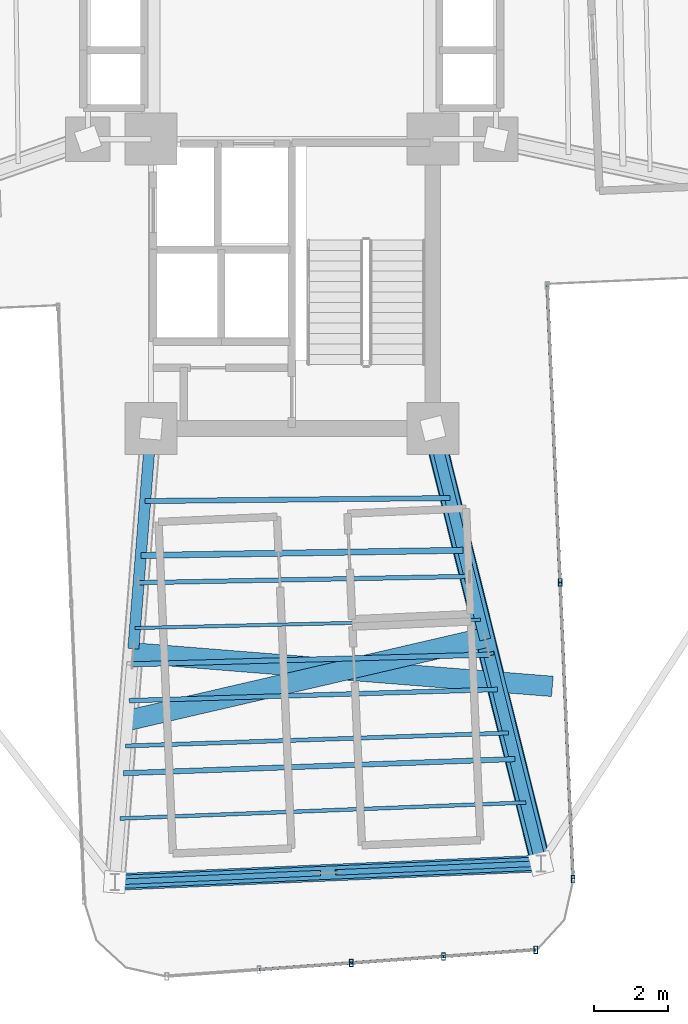
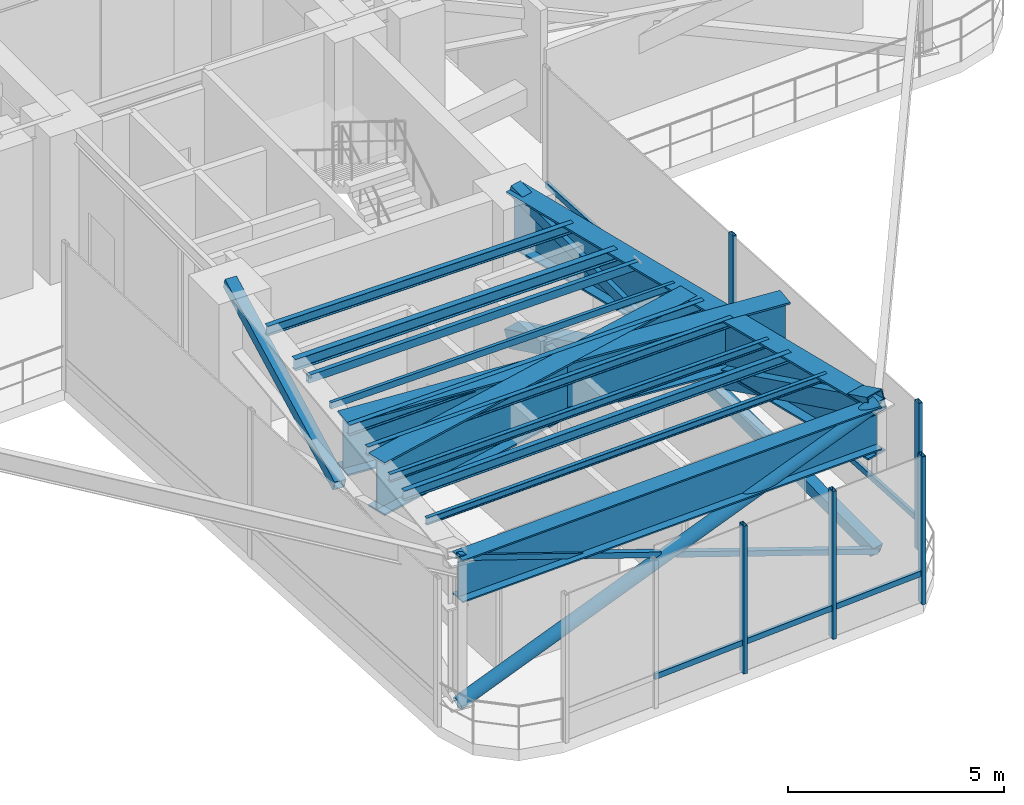
# One storey, part 4 of 18: 17 members, 13 beams, 2 elements without a shape of their own.
"""IFC4 building model written with IfcOpenShell, lengths in metres."""

from ifc_helpers import new_model, si_unit, direction, frame, origin, origin_2d, place, context, subcontext, project, spatial, hollow_rectangle, hollow_circle, i_section, extrude, source, transform, mapped, material, material_profile, profile_set, type_object, element, aggregate, save


model = new_model("IFC4")

# Units and contexts
model_context = context("Model", 3, precision=1e-05, world=origin(), true_north=direction((0.0, 1.0)))
body_context = subcontext(model_context, "Body", "Model", "MODEL_VIEW")
ifc_project = project(units=[si_unit("LENGTHUNIT", "METRE"), si_unit("AREAUNIT", "SQUARE_METRE"), si_unit("VOLUMEUNIT", "CUBIC_METRE"), si_unit("PLANEANGLEUNIT", "RADIAN"), si_unit("MASSUNIT", "GRAM", prefix="KILO")], contexts=[model_context])

# Site, building, storey
site_placement = place(None, origin())
site = spatial("IfcSite", under=ifc_project, at=site_placement, CompositionType="ELEMENT")
building_placement = place(site_placement, origin())
building = spatial("IfcBuilding", under=site, at=building_placement, Name="Sahyath Konkavel Grand Hotel", CompositionType="ELEMENT")
storey_placement = place(building_placement, frame((0.0, 0.0, 138.25)))
storey = spatial("IfcBuildingStorey", under=building, at=storey_placement, Name="L38", CompositionType="ELEMENT", Elevation=138.25)

# Beams
ifc_material_1 = material(Name="Steel E350", Category="steel")
ifc_material_profile_1 = material_profile(ifc_material_1, i_section(OverallWidth=0.1650390625, OverallDepth=0.324951171875, WebThickness=0.007080078125, FlangeThickness=0.009765625, FilletRadius=0.014892578125, at=origin_2d()), Name="ISLB 325")
ifc_profile_set_1 = profile_set([ifc_material_profile_1], Name="Steel E350")
beam_type_1 = type_object("IfcBeamType", Name="BM-ISLB325", PredefinedType="BEAM", material=ifc_profile_set_1)
shared_shape_1 = source(origin(), body_context, "Body", "SweptSolid", [
    extrude(i_section(OverallWidth=0.1650390625, OverallDepth=0.324951171875, WebThickness=0.007080078125, FlangeThickness=0.009765625, FilletRadius=0.014892578125, at=origin_2d()), origin(), (0.0, 0.0, 1.0), 8.68994140625),
])
beam_1_placement = place(storey_placement, frame((-4.0732421875, -13.624267578125, 4.017578125), z_axis=(0.999869506431, 0.016154569283, 0.0), x_axis=(-0.016154569283, 0.999869506431, 0.0)))
element("IfcBeam", 1, at=beam_1_placement, inside=storey, type_object=beam_type_1, Name="L38 Secondary Floor Beam S-1", PredefinedType="BEAM", context=body_context, shape_type="MappedRepresentation", body=[
    mapped(shared_shape_1, transform((0.0, 0.0, 0.0), scale=1.0)),
])
ifc_material_profile_2 = material_profile(ifc_material_1, i_section(OverallWidth=0.139892578125, OverallDepth=0.300048828125, WebThickness=0.0078125, FlangeThickness=0.01318359375, FilletRadius=0.013916015625, at=origin_2d()), Name="ISMB 300")
ifc_profile_set_2 = profile_set([ifc_material_profile_2], Name="Steel E350")
beam_type_2 = type_object("IfcBeamType", Name="BM-ISMB300", PredefinedType="BEAM", material=ifc_profile_set_2)
shared_shape_2 = source(origin(), body_context, "Body", "SweptSolid", [
    extrude(i_section(OverallWidth=0.139892578125, OverallDepth=0.300048828125, WebThickness=0.0078125, FlangeThickness=0.01318359375, FilletRadius=0.013916015625, at=origin_2d()), origin(), (0.0, 0.0, 1.0), 9.625732421875),
])
beam_2_placement = place(storey_placement, frame((-4.3076171875, -16.559326171875, 4.030029296875), z_axis=(0.999633060528, 0.027087714933, 0.0), x_axis=(-0.027087714933, 0.999633060528, 0.0)))
element("IfcBeam", 2, at=beam_2_placement, inside=storey, type_object=beam_type_2, Name="L38 Secondary Floor Beam S-2", PredefinedType="BEAM", context=body_context, shape_type="MappedRepresentation", body=[
    mapped(shared_shape_2, transform((0.0, 0.0, 0.0), scale=1.0)),
])
ifc_material_profile_3 = material_profile(ifc_material_1, i_section(OverallWidth=0.139892578125, OverallDepth=0.27490234375, WebThickness=0.00634765625, FlangeThickness=0.0087890625, FilletRadius=0.012939453125, at=origin_2d()), Name="ISLB 275")
ifc_profile_set_3 = profile_set([ifc_material_profile_3], Name="Steel E350")
beam_type_3 = type_object("IfcBeamType", Name="BM-ISLB275", PredefinedType="BEAM", material=ifc_profile_set_3)
shared_shape_3 = source(origin(), body_context, "Body", "SweptSolid", [
    extrude(i_section(OverallWidth=0.139892578125, OverallDepth=0.27490234375, WebThickness=0.00634765625, FlangeThickness=0.0087890625, FilletRadius=0.012939453125, at=origin_2d()), origin(), (0.0, 0.0, 1.0), 10.562744140625),
])
beam_3_placement = place(storey_placement, frame((-4.5419921875, -19.49462890625, 4.04248046875), z_axis=(0.999348077295, 0.036102914095, 0.0), x_axis=(-0.036102914095, 0.999348077295, 0.0)))
element("IfcBeam", 3, at=beam_3_placement, inside=storey, type_object=beam_type_3, Name="L38 Secondary Floor Beam S-3", PredefinedType="BEAM", context=body_context, shape_type="MappedRepresentation", body=[
    mapped(shared_shape_3, transform((0.0, 0.0, 0.0), scale=1.0)),
])
ifc_material_2 = material(Name="Steel E450", Category="steel")
ifc_material_profile_4 = material_profile(ifc_material_2, i_section(OverallWidth=0.550048828125, OverallDepth=1.5, WebThickness=0.028076171875, FlangeThickness=0.050048828125, at=origin_2d()), Name="BPG 1500x550")
ifc_profile_set_4 = profile_set([ifc_material_profile_4], Name="Steel E450")
beam_type_4 = type_object("IfcBeamType", Name="BM-BPG1500", PredefinedType="BEAM", material=ifc_profile_set_4)
shared_shape_4 = source(origin(), body_context, "Body", "SweptSolid", [
    extrude(i_section(OverallWidth=0.550048828125, OverallDepth=1.5, WebThickness=0.028076171875, FlangeThickness=0.050048828125, at=origin_2d()), origin(), (0.0, 0.0, 1.0), 12.084228515625),
])
beam_4_placement = place(storey_placement, frame((3.800048828125, -10.199951171875, 3.429931640625), z_axis=(0.241042688481, -0.970514514229, 0.0), x_axis=(0.970514514229, 0.241042688481, 0.0)))
element("IfcBeam", 4, at=beam_4_placement, inside=storey, type_object=beam_type_4, Name="L38 Setback Transfer Girder SB", PredefinedType="BEAM", context=body_context, shape_type="MappedRepresentation", body=[
    mapped(shared_shape_4, transform((0.0, 0.0, 0.0), scale=1.0)),
])
shared_shape_5 = source(origin(), body_context, "Body", "SweptSolid", [
    extrude(i_section(OverallWidth=0.550048828125, OverallDepth=1.5, WebThickness=0.028076171875, FlangeThickness=0.050048828125, at=origin_2d()), origin(), (0.0, 0.0, 1.0), 9.884765625),
])
beam_5_placement = place(storey_placement, frame((-4.428466796875, -18.07275390625, 3.429931640625), z_axis=(0.974209385626, 0.225645901711, 0.0), x_axis=(-0.225645901711, 0.974209385626, 0.0)))
element("IfcBeam", 5, at=beam_5_placement, inside=storey, type_object=beam_type_4, Name="L38 Setback Cross Transfer Girder S-1", PredefinedType="BEAM", context=body_context, shape_type="MappedRepresentation", body=[
    mapped(shared_shape_5, transform((0.0, 0.0, 0.0), scale=1.0)),
])
shared_shape_6 = source(origin(), body_context, "Body", "SweptSolid", [
    extrude(i_section(OverallWidth=0.550048828125, OverallDepth=1.5, WebThickness=0.028076171875, FlangeThickness=0.050048828125, at=origin_2d()), origin(), (0.0, 0.0, 1.0), 11.340576171875),
])
beam_6_placement = place(storey_placement, frame((-4.282958984375, -16.2509765625, 3.429931640625), z_axis=(0.996829500519, -0.079567247623, 0.0), x_axis=(0.079567247623, 0.996829500519, 0.0)))
element("IfcBeam", 6, at=beam_6_placement, inside=storey, type_object=beam_type_4, Name="L38 Setback Cross Transfer Girder S-2", PredefinedType="BEAM", context=body_context, shape_type="MappedRepresentation", body=[
    mapped(shared_shape_6, transform((0.0, 0.0, 0.0), scale=1.0)),
])
ifc_material_profile_5 = material_profile(ifc_material_2, i_section(OverallWidth=0.449951171875, OverallDepth=1.199951171875, WebThickness=0.02197265625, FlangeThickness=0.0400390625, at=origin_2d()), Name="BPG 1200x450")
ifc_profile_set_5 = profile_set([ifc_material_profile_5], Name="Steel E450")
beam_type_5 = type_object("IfcBeamType", Name="BM-BPG1200", PredefinedType="BEAM", material=ifc_profile_set_5)
shared_shape_7 = source(origin(), body_context, "Body", "SweptSolid", [
    extrude(i_section(OverallWidth=0.449951171875, OverallDepth=1.199951171875, WebThickness=0.02197265625, FlangeThickness=0.0400390625, at=origin_2d()), origin(), (0.0, 0.0, 1.0), 11.5),
])
beam_7_placement = place(storey_placement, frame((-4.776123046875, -22.4296875, 3.580078125), z_axis=(0.99904788879, 0.043627008892, 0.0), x_axis=(-0.043627008892, 0.99904788879, 0.0)))
element("IfcBeam", 7, at=beam_7_placement, inside=storey, type_object=beam_type_5, Name="L38 Wing Tip Edge Beam S", PredefinedType="BEAM", context=body_context, shape_type="MappedRepresentation", body=[
    mapped(shared_shape_7, transform((0.0, 0.0, 0.0), scale=1.0)),
])

# Members
ifc_material_profile_6 = material_profile(ifc_material_2, hollow_rectangle(XDim=0.300048828125, YDim=0.300048828125, WallThickness=0.01611328125, at=origin_2d()), Name="SHS 300x300x16")
ifc_profile_set_6 = profile_set([ifc_material_profile_6], Name="Steel E450")
member_type_1 = type_object("IfcMemberType", Name="BR-SHS300", PredefinedType="BRACE", material=ifc_profile_set_6)
shared_shape_8 = source(origin(), body_context, "Body", "SweptSolid", [
    extrude(hollow_rectangle(XDim=0.300048828125, YDim=0.300048828125, WallThickness=0.01611328125, at=origin_2d()), origin(), (0.0, 0.0, 1.0), 6.237548828125),
])
member_1_placement = place(storey_placement, frame((-4.27001953125, -16.08837890625, 2.1669921875), z_axis=(0.075346222641, 0.944039243568, 0.321111901581), x_axis=(-0.99683011102, 0.079559598811, 0.0)))
element("IfcMember", 8, at=member_1_placement, inside=storey, type_object=member_type_1, Name="L38 Core Outrigger Truss SA Split Upper Diagonal 2B", PredefinedType="BRACE", context=body_context, shape_type="MappedRepresentation", body=[
    mapped(shared_shape_8, transform((0.0, 0.0, 0.0), scale=1.0)),
])
ifc_material_profile_7 = material_profile(ifc_material_2, hollow_rectangle(XDim=0.5, YDim=0.5, WallThickness=0.02490234375, at=origin_2d()), Name="BOX 500x500x25")
ifc_profile_set_7 = profile_set([ifc_material_profile_7], Name="Steel E450")
member_type_2 = type_object("IfcMemberType", Name="BR-BOX500", PredefinedType="BRACE", material=ifc_profile_set_7)
shared_shape_9 = source(origin(), body_context, "Body", "SweptSolid", [
    extrude(hollow_rectangle(XDim=0.5, YDim=0.5, WallThickness=0.02490234375, at=origin_2d()), origin(), (0.0, 0.0, 1.0), 12.7802734375),
])
member_2_placement = place(storey_placement, frame((3.800048828125, -10.199951171875, 0.010009765625), z_axis=(0.227916491991, -0.917664273092, 0.325494016179), x_axis=(0.970514514229, 0.241042688481, 0.0)))
element("IfcMember", 9, at=member_2_placement, inside=storey, type_object=member_type_2, Name="L38 Core Outrigger Truss SB Continuous Diagonal 1", PredefinedType="BRACE", context=body_context, shape_type="MappedRepresentation", body=[
    mapped(shared_shape_9, transform((0.0, 0.0, 0.0), scale=1.0)),
])
shared_shape_10 = source(origin(), body_context, "Body", "SweptSolid", [
    extrude(hollow_rectangle(XDim=0.300048828125, YDim=0.300048828125, WallThickness=0.01611328125, at=origin_2d()), origin(), (0.0, 0.0, 1.0), 6.150146484375),
])
for number, where, z_axis, x_axis, name in (
    (10, (6.712890625, -21.927978515625, 0.010009765625), (-0.227897364366, 0.917663015513, 0.325510954155), (-0.970519169134, -0.241023945581, 0.0), "L38 Core Outrigger Truss SB Split Lower Diagonal 2A"),
    (11, (5.20166015625, -15.84375, 2.168212890625), (-0.22790030905, 0.917674872723, 0.325475463142), (-0.970519169134, -0.241023945581, 0.0), "L38 Core Outrigger Truss SB Split Upper Diagonal 2B"),
):
    element("IfcMember", number, at=place(storey_placement, frame(where, z_axis=z_axis, x_axis=x_axis)), inside=storey, type_object=member_type_1, Name=name, PredefinedType="BRACE", context=body_context, shape_type="MappedRepresentation", body=[
        mapped(shared_shape_10, transform((0.0, 0.0, 0.0), scale=1.0)),
    ])
ifc_material_profile_8 = material_profile(ifc_material_2, hollow_circle(Radius=0.177734375, WallThickness=0.01611328125, at=origin_2d()), Name="CHS 355.6x16")
ifc_profile_set_8 = profile_set([ifc_material_profile_8], Name="Steel E450")
member_type_3 = type_object("IfcMemberType", Name="BR-CHS356", PredefinedType="BRACE", material=ifc_profile_set_8)
shared_shape_11 = source(origin(), body_context, "Body", "SweptSolid", [
    extrude(hollow_circle(Radius=0.177734375, WallThickness=0.01611328125, at=origin_2d()), origin(), (0.0, 0.0, 1.0), 12.229248046875),
])
member_3_placement = place(storey_placement, frame((-4.776123046875, -22.4296875, 0.010009765625), z_axis=(0.939471709552, 0.041025401371, 0.34016146665), x_axis=(-0.043627008892, 0.99904788879, 0.0)))
element("IfcMember", 12, at=member_3_placement, inside=storey, type_object=member_type_3, Name="L38 Perimeter Belt Truss TIP-S Continuous Diagonal 1", PredefinedType="BRACE", context=body_context, shape_type="MappedRepresentation", body=[
    mapped(shared_shape_11, transform((0.0, 0.0, 0.0), scale=1.0)),
])
ifc_material_profile_9 = material_profile(ifc_material_1, hollow_rectangle(XDim=0.14990234375, YDim=0.14990234375, WallThickness=0.008056640625, at=origin_2d()), Name="SHS 150x150x8")
ifc_profile_set_9 = profile_set([ifc_material_profile_9], Name="Steel E350")
member_type_4 = type_object("IfcMemberType", Name="BR-SHS150", PredefinedType="STRUT", material=ifc_profile_set_9)
shared_shape_12 = source(origin(), body_context, "Body", "SweptSolid", [
    extrude(hollow_rectangle(XDim=0.14990234375, YDim=0.14990234375, WallThickness=0.008056640625, at=origin_2d()), origin(), (0.0, 0.0, 1.0), 5.87451171875),
])
for number, where, z_axis, x_axis, name in (
    (13, (6.712890625, -21.927978515625, 0.010009765625), (-0.939471996837, -0.041059821856, 0.340156520132), (0.043663529055, -0.999046293337, 0.0), "L38 Perimeter Belt Truss TIP-S Split Lower Diagonal 2A"),
    (14, (0.742919921875, -22.188720703125, 2.171630859375), (-0.939473599131, -0.04101833329, 0.340157100278), (0.043619419328, -0.999048220186, 0.0), "L38 Perimeter Belt Truss TIP-S Split Upper Diagonal 2B"),
):
    element("IfcMember", number, at=place(storey_placement, frame(where, z_axis=z_axis, x_axis=x_axis)), inside=storey, type_object=member_type_4, Name=name, PredefinedType="STRUT", context=body_context, shape_type="MappedRepresentation", body=[
        mapped(shared_shape_12, transform((0.0, 0.0, 0.0), scale=1.0)),
    ])

# Beams
shared_shape_13 = source(origin(), body_context, "Body", "SweptSolid", [
    extrude(i_section(OverallWidth=0.139892578125, OverallDepth=0.27490234375, WebThickness=0.00634765625, FlangeThickness=0.0087890625, FilletRadius=0.012939453125, at=origin_2d()), origin(), (0.0, 0.0, 1.0), 8.222900390625),
])
beam_8_placement = place(storey_placement, frame((-3.956298828125, -12.15673828125, 4.04248046875), z_axis=(0.999952289679, 0.009768232528, 0.0), x_axis=(-0.009768232528, 0.999952289679, 0.0)))
element("IfcBeam", 15, at=beam_8_placement, inside=storey, type_object=beam_type_3, Name="L38 Composite Deck Sub-Beam S-1", PredefinedType="BEAM", context=body_context, shape_type="MappedRepresentation", body=[
    mapped(shared_shape_13, transform((0.0, 0.0, 0.0), scale=1.0)),
])
ifc_material_profile_10 = material_profile(ifc_material_1, hollow_rectangle(XDim=0.1201171875, YDim=0.219970703125, WallThickness=0.010009765625, at=origin_2d()), Name="RHS 220x120x10")
ifc_profile_set_10 = profile_set([ifc_material_profile_10], Name="Steel E350")
beam_type_6 = type_object("IfcBeamType", Name="BM-RHS220", PredefinedType="BEAM", material=ifc_profile_set_10)
shared_shape_14 = source(origin(), body_context, "Body", "SweptSolid", [
    extrude(hollow_rectangle(XDim=0.1201171875, YDim=0.219970703125, WallThickness=0.010009765625, at=origin_2d()), origin(), (0.0, 0.0, 1.0), 8.923828125),
])
beam_9_placement = place(storey_placement, frame((-4.1318359375, -14.358154296875, 4.070068359375), z_axis=(0.99981712713, 0.019123605743, 0.0), x_axis=(-0.019123605743, 0.99981712713, 0.0)))
element("IfcBeam", 16, at=beam_9_placement, inside=storey, type_object=beam_type_6, Name="L38 Composite Deck Sub-Beam S-2", PredefinedType="BEAM", context=body_context, shape_type="MappedRepresentation", body=[
    mapped(shared_shape_14, transform((0.0, 0.0, 0.0), scale=1.0)),
])
ifc_material_profile_11 = material_profile(ifc_material_1, hollow_rectangle(XDim=0.090087890625, YDim=0.179931640625, WallThickness=0.008056640625, at=origin_2d()), Name="RHS 180x90x8")
ifc_profile_set_11 = profile_set([ifc_material_profile_11], Name="Steel E350")
beam_type_7 = type_object("IfcBeamType", Name="BM-RHS180", PredefinedType="BEAM", material=ifc_profile_set_11)
shared_shape_15 = source(origin(), body_context, "Body", "SweptSolid", [
    extrude(hollow_rectangle(XDim=0.090087890625, YDim=0.179931640625, WallThickness=0.008056640625, at=origin_2d()), origin(), (0.0, 0.0, 1.0), 9.31396484375),
])
beam_10_placement = place(storey_placement, frame((-4.2294921875, -15.5810546875, 4.090087890625), z_axis=(0.999719207624, 0.023696115884, 0.0), x_axis=(-0.023696115884, 0.999719207624, 0.0)))
element("IfcBeam", 17, at=beam_10_placement, inside=storey, type_object=beam_type_7, Name="L38 Composite Deck Sub-Beam S-3", PredefinedType="BEAM", context=body_context, shape_type="MappedRepresentation", body=[
    mapped(shared_shape_15, transform((0.0, 0.0, 0.0), scale=1.0)),
])
ifc_material_profile_12 = material_profile(ifc_material_1, i_section(OverallWidth=0.125, OverallDepth=0.25, WebThickness=0.0068359375, FlangeThickness=0.012451171875, FilletRadius=0.012939453125, at=origin_2d()), Name="ISMB 250")
ifc_profile_set_12 = profile_set([ifc_material_profile_12], Name="Steel E350")
beam_type_8 = type_object("IfcBeamType", Name="BM-ISMB250", PredefinedType="BEAM", material=ifc_profile_set_12)
shared_shape_16 = source(origin(), body_context, "Body", "SweptSolid", [
    extrude(i_section(OverallWidth=0.125, OverallDepth=0.25, WebThickness=0.0068359375, FlangeThickness=0.012451171875, FilletRadius=0.012939453125, at=origin_2d()), origin(), (0.0, 0.0, 1.0), 9.93798828125),
])
beam_11_placement = place(storey_placement, frame((-4.3857421875, -17.537841796875, 4.054931640625), z_axis=(0.999541134068, 0.030290614159, 0.0), x_axis=(-0.030290614159, 0.999541134068, 0.0)))
element("IfcBeam", 18, at=beam_11_placement, inside=storey, type_object=beam_type_8, Name="L38 Composite Deck Sub-Beam S-4", PredefinedType="BEAM", context=body_context, shape_type="MappedRepresentation", body=[
    mapped(shared_shape_16, transform((0.0, 0.0, 0.0), scale=1.0)),
])
ifc_material_profile_13 = material_profile(ifc_material_1, i_section(OverallWidth=0.110107421875, OverallDepth=0.22509765625, WebThickness=0.006591796875, FlangeThickness=0.01171875, FilletRadius=0.011962890625, at=origin_2d()), Name="ISMB 225")
ifc_profile_set_13 = profile_set([ifc_material_profile_13], Name="Steel E350")
beam_type_9 = type_object("IfcBeamType", Name="BM-ISMB225", PredefinedType="BEAM", material=ifc_profile_set_13)
shared_shape_17 = source(origin(), body_context, "Body", "SweptSolid", [
    extrude(i_section(OverallWidth=0.110107421875, OverallDepth=0.22509765625, WebThickness=0.006591796875, FlangeThickness=0.01171875, FilletRadius=0.011962890625, at=origin_2d()), origin(), (0.0, 0.0, 1.0), 10.328369140625),
])
beam_12_placement = place(storey_placement, frame((-4.4833984375, -18.7607421875, 4.0673828125), z_axis=(0.999422142561, 0.033990895225, 0.0), x_axis=(-0.033990895225, 0.999422142561, 0.0)))
element("IfcBeam", 19, at=beam_12_placement, inside=storey, type_object=beam_type_9, Name="L38 Composite Deck Sub-Beam S-5", PredefinedType="BEAM", context=body_context, shape_type="MappedRepresentation", body=[
    mapped(shared_shape_17, transform((0.0, 0.0, 0.0), scale=1.0)),
])
ifc_material_profile_14 = material_profile(ifc_material_1, i_section(OverallWidth=0.10009765625, OverallDepth=0.199951171875, WebThickness=0.005615234375, FlangeThickness=0.0107421875, FilletRadius=0.010986328125, at=origin_2d()), Name="ISMB 200")
ifc_profile_set_14 = profile_set([ifc_material_profile_14], Name="Steel E350")
beam_type_10 = type_object("IfcBeamType", Name="BM-ISMB200", PredefinedType="BEAM", material=ifc_profile_set_14)
shared_shape_18 = source(origin(), body_context, "Body", "SweptSolid", [
    extrude(i_section(OverallWidth=0.10009765625, OverallDepth=0.199951171875, WebThickness=0.005615234375, FlangeThickness=0.0107421875, FilletRadius=0.010986328125, at=origin_2d()), origin(), (0.0, 0.0, 1.0), 10.953125),
])
beam_13_placement = place(storey_placement, frame((-4.639404296875, -20.717529296875, 4.080078125), z_axis=(0.99922407579, 0.039385864996, 0.0), x_axis=(-0.039385864996, 0.99922407579, 0.0)))
element("IfcBeam", 20, at=beam_13_placement, inside=storey, type_object=beam_type_10, Name="L38 Composite Deck Sub-Beam S-6", PredefinedType="BEAM", context=body_context, shape_type="MappedRepresentation", body=[
    mapped(shared_shape_18, transform((0.0, 0.0, 0.0), scale=1.0)),
])

# Curtain wall, members
ifc_material_3 = material(Name="Anodised Bronze Aluminium & Low-E Glazing", Category="aluminium")
curtain_wall_type = type_object("IfcCurtainWallType", Name="CW-SKYLOBBY", PredefinedType="NOTDEFINED", material=ifc_material_3)
curtain_wall_1_placement = place(storey_placement, origin())
curtain_wall_1 = element("IfcCurtainWall", 21, at=curtain_wall_1_placement, inside=storey, type_object=curtain_wall_type, Name="L38 Unitised Curtain Wall RF28", PredefinedType="NOTDEFINED")
ifc_material_4 = material(Name="Anodised Bronze Aluminium", Category="aluminium")
ifc_material_profile_15 = material_profile(ifc_material_4, hollow_rectangle(XDim=0.10009765625, YDim=0.199951171875, WallThickness=0.008056640625, at=origin_2d()), Name="RHS 200x100x8")
ifc_profile_set_15 = profile_set([ifc_material_profile_15], Name="Anodised Bronze Aluminium")
member_type_5 = type_object("IfcMemberType", Name="CW-MUL-200", PredefinedType="MULLION", material=ifc_profile_set_15)
shared_shape_19 = source(origin(), body_context, "Body", "SweptSolid", [
    extrude(hollow_rectangle(XDim=0.10009765625, YDim=0.199951171875, WallThickness=0.008056640625, at=origin_2d()), origin(), (0.0, 0.0, 1.0), 4.179931640625),
])
member_4_placement = place(storey_placement, frame((1.60009765625, -24.61279296875, 0.0), z_axis=(0.0, 0.0, 1.0), x_axis=(1.0, 0.0, 0.0)))
member_4 = element("IfcMember", 22, at=member_4_placement, type_object=member_type_5, Name="L38 Curtain Wall Mullion RF28-2", PredefinedType="MULLION", context=body_context, shape_type="MappedRepresentation", body=[
    mapped(shared_shape_19, transform((0.0, 0.0, 0.0), scale=1.0)),
])
member_5_placement = place(storey_placement, frame((4.087158203125, -24.4345703125, 0.0), z_axis=(0.0, 0.0, 1.0), x_axis=(1.0, 0.0, 0.0)))
member_5 = element("IfcMember", 23, at=member_5_placement, type_object=member_type_5, Name="L38 Curtain Wall Mullion RF28-3", PredefinedType="MULLION", context=body_context, shape_type="MappedRepresentation", body=[
    mapped(shared_shape_19, transform((0.0, 0.0, 0.0), scale=1.0)),
])
member_6_placement = place(storey_placement, frame((6.57421875, -24.256103515625, 0.0), z_axis=(0.0, 0.0, 1.0), x_axis=(1.0, 0.0, 0.0)))
member_6 = element("IfcMember", 24, at=member_6_placement, type_object=member_type_5, Name="L38 Curtain Wall Mullion RF28-4", PredefinedType="MULLION", context=body_context, shape_type="MappedRepresentation", body=[
    mapped(shared_shape_19, transform((0.0, 0.0, 0.0), scale=1.0)),
])

curtain_wall_2_placement = place(storey_placement, origin())
curtain_wall_2 = element("IfcCurtainWall", 25, at=curtain_wall_2_placement, inside=storey, type_object=curtain_wall_type, Name="L38 Unitised Curtain Wall RF31", PredefinedType="NOTDEFINED")
member_7_placement = place(storey_placement, frame((7.582275390625, -22.3505859375, 0.0), z_axis=(0.0, 0.0, 1.0), x_axis=(1.0, 0.0, 0.0)))
member_7 = element("IfcMember", 26, at=member_7_placement, type_object=member_type_5, Name="L38 Curtain Wall Mullion RF31-0", PredefinedType="MULLION", context=body_context, shape_type="MappedRepresentation", body=[
    mapped(shared_shape_19, transform((0.0, 0.0, 0.0), scale=1.0)),
])
member_8_placement = place(storey_placement, frame((7.232666015625, -14.34814453125, 0.0), z_axis=(0.0, 0.0, 1.0), x_axis=(1.0, 0.0, 0.0)))
member_8 = element("IfcMember", 27, at=member_8_placement, type_object=member_type_5, Name="L38 Curtain Wall Mullion RF31-1", PredefinedType="MULLION", context=body_context, shape_type="MappedRepresentation", body=[
    mapped(shared_shape_19, transform((0.0, 0.0, 0.0), scale=1.0)),
])

# Member
ifc_material_profile_16 = material_profile(ifc_material_4, hollow_rectangle(XDim=0.080078125, YDim=0.159912109375, WallThickness=0.006103515625, at=origin_2d()), Name="RHS 160x80x6")
ifc_profile_set_16 = profile_set([ifc_material_profile_16], Name="Anodised Bronze Aluminium")
member_type_6 = type_object("IfcMemberType", Name="CW-TRN-160", PredefinedType="USERDEFINED", material=ifc_profile_set_16)
shared_shape_20 = source(origin(), body_context, "Body", "SweptSolid", [
    extrude(hollow_rectangle(XDim=0.080078125, YDim=0.159912109375, WallThickness=0.006103515625, at=origin_2d()), origin(), (0.0, 0.0, 1.0), 2.493408203125),
])
member_9_placement = place(storey_placement, frame((-0.886962890625, -24.79150390625, 0.85009765625), z_axis=(0.997428291631, 0.071671494009, 0.0), x_axis=(-0.071671494009, 0.997428291631, 0.0)))
member_9 = element("IfcMember", 28, at=member_9_placement, type_object=member_type_6, Name="L38 Curtain Wall Transom RF28-1-spandrel", ObjectType="TRANSOM", PredefinedType="USERDEFINED", context=body_context, shape_type="MappedRepresentation", body=[
    mapped(shared_shape_20, transform((0.0, 0.0, 0.0), scale=1.0)),
])

member_10_placement = place(storey_placement, frame((1.60009765625, -24.61279296875, 0.85009765625), z_axis=(0.997442271688, 0.071476672066, 0.0), x_axis=(-0.071476672066, 0.997442271688, 0.0)))
member_10 = element("IfcMember", 29, at=member_10_placement, type_object=member_type_6, Name="L38 Curtain Wall Transom RF28-2-spandrel", ObjectType="TRANSOM", PredefinedType="USERDEFINED", context=body_context, shape_type="MappedRepresentation", body=[
    mapped(shared_shape_20, transform((0.0, 0.0, 0.0), scale=1.0)),
])

member_11_placement = place(storey_placement, frame((4.087158203125, -24.4345703125, 0.85009765625), z_axis=(0.997435286367, 0.071574084062, 0.0), x_axis=(-0.071574084062, 0.997435286367, 0.0)))
member_11 = element("IfcMember", 30, at=member_11_placement, type_object=member_type_6, Name="L38 Curtain Wall Transom RF28-3-spandrel", ObjectType="TRANSOM", PredefinedType="USERDEFINED", context=body_context, shape_type="MappedRepresentation", body=[
    mapped(shared_shape_20, transform((0.0, 0.0, 0.0), scale=1.0)),
])

aggregate(curtain_wall_1, [member_4, member_5, member_6, member_9, member_10, member_11])

shared_shape_21 = source(origin(), body_context, "Body", "SweptSolid", [
    extrude(hollow_rectangle(XDim=0.080078125, YDim=0.159912109375, WallThickness=0.006103515625, at=origin_2d()), origin(), (0.0, 0.0, 1.0), 8.010009765625),
])
member_12_placement = place(storey_placement, frame((7.582275390625, -22.3505859375, 0.85009765625), z_axis=(-0.043646207089, 0.999047050247, 0.0), x_axis=(-0.999047050247, -0.043646207089, 0.0)))
member_12 = element("IfcMember", 31, at=member_12_placement, type_object=member_type_6, Name="L38 Curtain Wall Transom RF31-0-spandrel", ObjectType="TRANSOM", PredefinedType="USERDEFINED", context=body_context, shape_type="MappedRepresentation", body=[
    mapped(shared_shape_21, transform((0.0, 0.0, 0.0), scale=1.0)),
])

member_13_placement = place(storey_placement, frame((7.232666015625, -14.34814453125, 0.85009765625), z_axis=(-0.043615785896, 0.999048378819, 0.0), x_axis=(-0.999048378819, -0.043615785896, 0.0)))
member_13 = element("IfcMember", 32, at=member_13_placement, type_object=member_type_6, Name="L38 Curtain Wall Transom RF31-1-spandrel", ObjectType="TRANSOM", PredefinedType="USERDEFINED", context=body_context, shape_type="MappedRepresentation", body=[
    mapped(shared_shape_21, transform((0.0, 0.0, 0.0), scale=1.0)),
])

aggregate(curtain_wall_2, [member_7, member_8, member_12, member_13])

save(model, "model.ifc")
